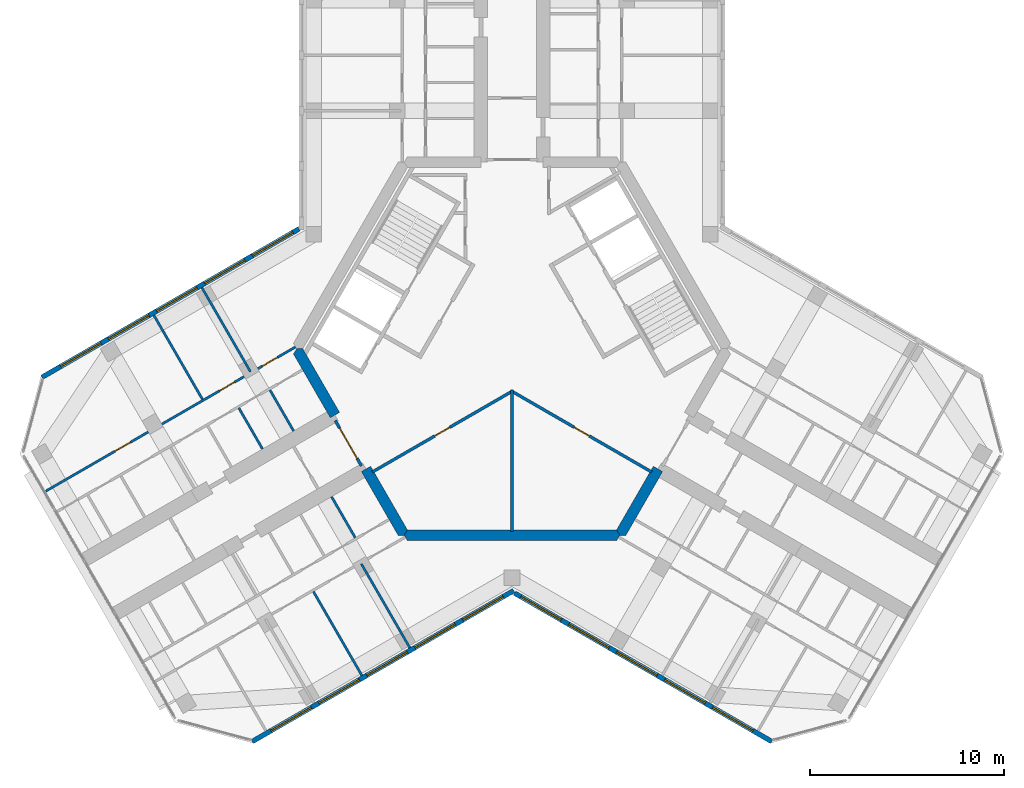
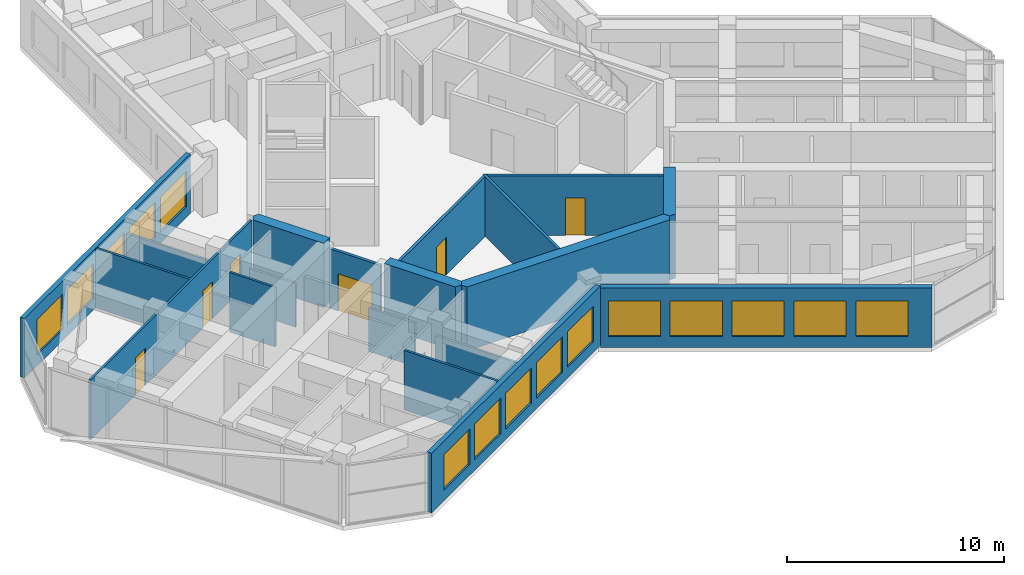
# One storey, part 8 of 14: 19 walls, 15 windows, 6 doors, 21 openings.
"""IFC4 building model written with IfcOpenShell, lengths in metres."""

from ifc_helpers import new_model, si_unit, direction, frame, frame_2d, origin, place, context, subcontext, project, spatial, polyline, rectangle, outline, extrude, material, layer, layer_set, type_object, element, fill, save


model = new_model("IFC4")

# Units and contexts
model_context = context("Model", 3, precision=1e-05, world=origin(), true_north=direction((0.0, 1.0)))
body_context = subcontext(model_context, "Body", "Model", "MODEL_VIEW")
ifc_project = project(units=[si_unit("LENGTHUNIT", "METRE"), si_unit("AREAUNIT", "SQUARE_METRE"), si_unit("VOLUMEUNIT", "CUBIC_METRE"), si_unit("PLANEANGLEUNIT", "RADIAN"), si_unit("MASSUNIT", "GRAM", prefix="KILO")], contexts=[model_context])

# Site, building, storey
site_placement = place(None, origin())
site = spatial("IfcSite", under=ifc_project, at=site_placement, CompositionType="ELEMENT")
building_placement = place(site_placement, origin())
building = spatial("IfcBuilding", under=site, at=building_placement, Name="Kosmar Iwan School Tower", CompositionType="ELEMENT")
storey_placement = place(building_placement, frame((0.0, 0.0, 271.0)))
storey = spatial("IfcBuildingStorey", under=building, at=storey_placement, Name="L68", CompositionType="ELEMENT", Elevation=271.0)

# Wall
ifc_material_1 = material(Name="Gypsum board on steel studs, fire-rated", Category="steel")
ifc_layer_1 = layer(ifc_material_1, 0.14990234375)
ifc_layer_set_1 = layer_set([ifc_layer_1], Name="Core room partition 150")
wall_type_1 = type_object("IfcWallType", Name="Core room partition 150", PredefinedType="PARTITIONING", material=ifc_layer_set_1)
wall_1_placement = place(storey_placement, frame((0.0, -9.39501953125, 0.0), z_axis=(0.0, 0.0, 1.0), x_axis=(0.0, 1.0, 0.0)))
element("IfcWall", 1, at=wall_1_placement, inside=storey, type_object=wall_type_1, Name="Core room partition L68-CW5", PredefinedType="PARTITIONING", context=body_context, shape_type="SweptSolid", body=[
    extrude(rectangle(XDim=7.276123046875, YDim=0.14990234375, at=frame_2d((3.63818359375, 0.0))), origin(), (0.0, 0.0, 1.0), 3.35009765625),
])

# Wall, opening, door
wall_2_placement = place(storey_placement, frame((-0.06494140625, -2.156494140625, 0.0), z_axis=(0.0, 0.0, 1.0), x_axis=(0.866023893041, -0.500002616675, 0.0)))
wall_2 = element("IfcWall", 2, at=wall_2_placement, inside=storey, type_object=wall_type_1, Name="Core room partition L68-CW6", PredefinedType="PARTITIONING", context=body_context, shape_type="SweptSolid", body=[
    extrude(rectangle(XDim=8.373046875, YDim=0.14990234375, at=frame_2d((4.1865234375, 0.0))), origin(), (0.0, 0.0, 1.0), 3.35009765625),
])
opening_1_placement = place(wall_2_placement, frame((3.77197265625, 0.0, 0.0)))
opening_1 = element("IfcOpeningElement", 3, at=opening_1_placement, cuts=wall_2, Name="Opening D14", PredefinedType="OPENING", context=body_context, shape_type="SweptSolid", body=[
    extrude(rectangle(XDim=0.89990234375, YDim=2.10009765625, at=frame_2d((0.449951171875, 1.050048828125))), frame((0.0, 0.0869140625, 0.0), z_axis=(0.0, -1.0, 0.0), x_axis=(1.0, 0.0, 0.0)), (0.0, 0.0, 1.0), 0.173828125),
])
ifc_material_2 = material(Name="Timber fire door in steel frame", Category="steel")
door_type_1 = type_object("IfcDoorType", Name="Core room door 900x2100", OperationType="SINGLE_SWING_LEFT", PredefinedType="DOOR", material=ifc_material_2)
door_1_placement = place(opening_1_placement, origin())
door_1 = element("IfcDoor", 4, at=door_1_placement, inside=storey, type_object=door_type_1, Name="Bicycle repair room door L68 3", OperationType="SINGLE_SWING_RIGHT", OverallHeight=2.10009765625, OverallWidth=0.89990234375, PredefinedType="DOOR", context=body_context, shape_type="SweptSolid", body=[
    extrude(rectangle(XDim=0.89990234375, YDim=2.10009765625, at=frame_2d((0.449951171875, 1.050048828125))), frame((0.0, 0.02490234375, 0.0), z_axis=(0.0, -1.0, 0.0), x_axis=(1.0, 0.0, 0.0)), (0.0, 0.0, 1.0), 0.050048828125),
])
fill(opening_1, door_1)

wall_3_placement = place(storey_placement, frame((-7.186279296875, -6.343017578125, 0.0), z_axis=(0.0, 0.0, 1.0), x_axis=(0.866023893041, 0.500002616675, 0.0)))
wall_3 = element("IfcWall", 5, at=wall_3_placement, inside=storey, type_object=wall_type_1, Name="Core room partition L68-CW7", PredefinedType="PARTITIONING", context=body_context, shape_type="SweptSolid", body=[
    extrude(rectangle(XDim=8.373046875, YDim=0.14990234375, at=frame_2d((4.1865234375, 0.0))), origin(), (0.0, 0.0, 1.0), 3.35009765625),
])
opening_2_placement = place(wall_3_placement, frame((3.701904296875, 0.0, 0.0)))
opening_2 = element("IfcOpeningElement", 6, at=opening_2_placement, cuts=wall_3, Name="Opening D14", PredefinedType="OPENING", context=body_context, shape_type="SweptSolid", body=[
    extrude(rectangle(XDim=0.89990234375, YDim=2.10009765625, at=frame_2d((0.449951171875, 1.050048828125))), frame((0.0, 0.0869140625, 0.0), z_axis=(0.0, -1.0, 0.0), x_axis=(1.0, 0.0, 0.0)), (0.0, 0.0, 1.0), 0.173828125),
])
door_2_placement = place(opening_2_placement, origin())
door_2 = element("IfcDoor", 7, at=door_2_placement, inside=storey, type_object=door_type_1, Name="Residents' laundry room door L68 4", OperationType="SINGLE_SWING_LEFT", OverallHeight=2.10009765625, OverallWidth=0.89990234375, PredefinedType="DOOR", context=body_context, shape_type="SweptSolid", body=[
    extrude(rectangle(XDim=0.89990234375, YDim=2.10009765625, at=frame_2d((0.449951171875, 1.050048828125))), frame((0.0, 0.02490234375, 0.0), z_axis=(0.0, -1.0, 0.0), x_axis=(1.0, 0.0, 0.0)), (0.0, 0.0, 1.0), 0.050048828125),
])
fill(opening_2, door_2)

# Walls
ifc_material_3 = material(Name="Concrete C50/60", Category="concrete")
ifc_layer_2 = layer(ifc_material_3, 0.550048828125)
ifc_layer_set_2 = layer_set([ifc_layer_2], Name="Core wall 550")
wall_type_2 = type_object("IfcWallType", Name="Core wall 550", PredefinedType="SHEAR", material=ifc_layer_set_2)
wall_4_placement = place(storey_placement, origin())
element("IfcWall", 8, at=wall_4_placement, inside=storey, type_object=wall_type_2, Name="Core wall F210a", PredefinedType="SHEAR", context=body_context, shape_type="SweptSolid", body=[
    extrude(outline(polyline([(-9.35205078125, -3.5517578125), (-8.875732421875, -3.27685546875), (-10.767578125, 0.0), (-11.085205078125, 0.0), (-11.243896484375, -0.27490234375), (-9.35205078125, -3.5517578125)])), origin(), (0.0, 0.0, 1.0), 3.60009765625),
])
wall_5_placement = place(storey_placement, origin())
element("IfcWall", 9, at=wall_5_placement, inside=storey, type_object=wall_type_2, Name="Core wall F210b", PredefinedType="SHEAR", context=body_context, shape_type="SweptSolid", body=[
    extrude(outline(polyline([(-5.860107421875, -9.60009765625), (-5.54248046875, -9.60009765625), (-5.3837890625, -9.324951171875), (-7.275634765625, -6.048095703125), (-7.751953125, -6.3232421875), (-5.860107421875, -9.60009765625)])), origin(), (0.0, 0.0, 1.0), 3.60009765625),
])
wall_6_placement = place(storey_placement, origin())
element("IfcWall", 10, at=wall_6_placement, inside=storey, type_object=wall_type_2, Name="Core wall F270", PredefinedType="SHEAR", context=body_context, shape_type="SweptSolid", body=[
    extrude(outline(polyline([(-5.3837890625, -9.875), (5.3837890625, -9.875), (5.54248046875, -9.60009765625), (5.3837890625, -9.324951171875), (-5.3837890625, -9.324951171875), (-5.54248046875, -9.60009765625), (-5.3837890625, -9.875)])), origin(), (0.0, 0.0, 1.0), 3.60009765625),
])
wall_7_placement = place(storey_placement, origin())
element("IfcWall", 11, at=wall_7_placement, inside=storey, type_object=wall_type_2, Name="Core wall F330a", PredefinedType="SHEAR", context=body_context, shape_type="SweptSolid", body=[
    extrude(outline(polyline([(5.54248046875, -9.60009765625), (5.860107421875, -9.60009765625), (7.751953125, -6.3232421875), (7.275634765625, -6.048095703125), (5.3837890625, -9.324951171875), (5.54248046875, -9.60009765625)])), origin(), (0.0, 0.0, 1.0), 3.60009765625),
])

# Wall, opening, door
ifc_material_4 = material(Name="Steel framed glazed screen", Category="steel")
ifc_layer_3 = layer(ifc_material_4, 0.14990234375)
ifc_layer_set_3 = layer_set([ifc_layer_3], Name="Corridor screen wall 150")
wall_type_3 = type_object("IfcWallType", Name="Corridor screen wall 150", PredefinedType="PARTITIONING", material=ifc_layer_set_3)
wall_8_placement = place(storey_placement, frame((-9.09716796875, -3.693359375, 0.0), z_axis=(0.0, 0.0, 1.0), x_axis=(0.50000943426, -0.866019956843, 0.0)))
wall_8 = element("IfcWall", 12, at=wall_8_placement, inside=storey, type_object=wall_type_3, Name="Corridor screen B L68", PredefinedType="PARTITIONING", context=body_context, shape_type="SweptSolid", body=[
    extrude(rectangle(XDim=2.7001953125, YDim=0.14990234375, at=frame_2d((1.35009765625, 0.0))), origin(), (0.0, 0.0, 1.0), 3.35009765625),
])
opening_3_placement = place(wall_8_placement, frame((0.449951171875, 0.0, 0.0)))
opening_3 = element("IfcOpeningElement", 13, at=opening_3_placement, cuts=wall_8, Name="Opening D9", PredefinedType="OPENING", context=body_context, shape_type="SweptSolid", body=[
    extrude(rectangle(XDim=1.800048828125, YDim=2.10009765625, at=frame_2d((0.89990234375, 1.050048828125))), frame((0.0, 0.0869140625, 0.0), z_axis=(0.0, -1.0, 0.0), x_axis=(1.0, 0.0, 0.0)), (0.0, 0.0, 1.0), 0.173828125),
])
ifc_material_5 = material(Name="Steel framed glazed smoke door", Category="steel")
door_type_2 = type_object("IfcDoorType", Name="Corridor smoke door pair 1800x2100", OperationType="DOUBLE_DOOR_DOUBLE_SWING", PredefinedType="DOOR", material=ifc_material_5)
door_3_placement = place(opening_3_placement, origin())
door_3 = element("IfcDoor", 14, at=door_3_placement, inside=storey, type_object=door_type_2, Name="Corridor doors B L68", OperationType="DOUBLE_DOOR_DOUBLE_SWING", OverallHeight=2.10009765625, OverallWidth=1.800048828125, PredefinedType="DOOR", context=body_context, shape_type="SweptSolid", body=[
    extrude(rectangle(XDim=1.800048828125, YDim=2.10009765625, at=frame_2d((0.89990234375, 1.050048828125))), frame((0.0, 0.02490234375, 0.0), z_axis=(0.0, -1.0, 0.0), x_axis=(1.0, 0.0, 0.0)), (0.0, 0.0, 1.0), 0.050048828125),
])
fill(opening_3, door_3)

# Walls
ifc_material_6 = material(Name="Gypsum board on steel studs", Category="steel")
ifc_layer_4 = layer(ifc_material_6, 0.1201171875)
ifc_layer_set_4 = layer_set([ifc_layer_4], Name="Dwelling partition 120")
wall_type_4 = type_object("IfcWallType", Name="Dwelling partition 120", PredefinedType="PARTITIONING", material=ifc_layer_set_4)
wall_9_placement = place(storey_placement, frame((-7.75390625, -11.070068359375, 0.0), z_axis=(0.0, 0.0, 1.0), x_axis=(0.500011847778, -0.866018563358, 0.0)))
element("IfcWall", 15, at=wall_9_placement, inside=storey, type_object=wall_type_4, Name="Partition L68-BL1-X1", PredefinedType="PARTITIONING", context=body_context, shape_type="SweptSolid", body=[
    extrude(rectangle(XDim=4.990234375, YDim=0.1201171875, at=frame_2d((2.4951171875, 0.0))), origin(), (0.0, 0.0, 1.0), 2.449951171875),
])
wall_10_placement = place(storey_placement, frame((-10.221923828125, -12.4951171875, 0.0), z_axis=(0.0, 0.0, 1.0), x_axis=(0.499996339024, -0.86602751744, 0.0)))
element("IfcWall", 16, at=wall_10_placement, inside=storey, type_object=wall_type_4, Name="Partition L68-BL1-X2", PredefinedType="PARTITIONING", context=body_context, shape_type="SweptSolid", body=[
    extrude(rectangle(XDim=4.98974609375, YDim=0.1201171875, at=frame_2d((2.494873046875, 0.0))), origin(), (0.0, 0.0, 1.0), 3.35009765625),
])
wall_11_placement = place(storey_placement, frame((-9.287353515625, -7.61376953125, 0.0), z_axis=(0.0, 0.0, 1.0), x_axis=(0.500002508028, -0.866023955769, 0.0)))
element("IfcWall", 17, at=wall_11_placement, inside=storey, type_object=wall_type_4, Name="Partition L68-BL1-Y1", PredefinedType="PARTITIONING", context=body_context, shape_type="SweptSolid", body=[
    extrude(rectangle(XDim=2.43994140625, YDim=0.1201171875, at=frame_2d((1.219970703125, 0.0))), origin(), (0.0, 0.0, 1.0), 2.449951171875),
])

# Wall, openings, doors
wall_12_placement = place(storey_placement, frame((-11.138916015625, 0.093017578125, 0.0), z_axis=(0.0, 0.0, 1.0), x_axis=(-0.866030301974, -0.499991515992, 0.0)))
wall_12 = element("IfcWall", 18, at=wall_12_placement, inside=storey, type_object=wall_type_4, Name="Partition L68-BR1-W2", PredefinedType="PARTITIONING", context=body_context, shape_type="SweptSolid", body=[
    extrude(rectangle(XDim=14.844970703125, YDim=0.1201171875, at=frame_2d((7.42236328125, 0.0))), origin(), (0.0, 0.0, 1.0), 3.35009765625),
])
opening_4_placement = place(wall_12_placement, frame((1.074951171875, 0.0, 0.0)))
opening_4 = element("IfcOpeningElement", 19, at=opening_4_placement, cuts=wall_12, Name="Opening D2", PredefinedType="OPENING", context=body_context, shape_type="SweptSolid", body=[
    extrude(rectangle(XDim=0.89990234375, YDim=2.10009765625, at=frame_2d((0.449951171875, 1.050048828125))), frame((0.0, 0.072021484375, 0.0), z_axis=(0.0, -1.0, 0.0), x_axis=(1.0, 0.0, 0.0)), (0.0, 0.0, 1.0), 0.14404296875),
])
opening_5_placement = place(wall_12_placement, frame((3.625, 0.0, 0.0)))
opening_5 = element("IfcOpeningElement", 20, at=opening_5_placement, cuts=wall_12, Name="Opening D2", PredefinedType="OPENING", context=body_context, shape_type="SweptSolid", body=[
    extrude(rectangle(XDim=0.89990234375, YDim=2.10009765625, at=frame_2d((0.449951171875, 1.050048828125))), frame((0.0, 0.072021484375, 0.0), z_axis=(0.0, -1.0, 0.0), x_axis=(1.0, 0.0, 0.0)), (0.0, 0.0, 1.0), 0.14404296875),
])
opening_6_placement = place(wall_12_placement, frame((9.824951171875, 0.0, 0.0)))
opening_6 = element("IfcOpeningElement", 21, at=opening_6_placement, cuts=wall_12, Name="Opening D2", PredefinedType="OPENING", context=body_context, shape_type="SweptSolid", body=[
    extrude(rectangle(XDim=0.89990234375, YDim=2.10009765625, at=frame_2d((0.449951171875, 1.050048828125))), frame((0.0, 0.072021484375, 0.0), z_axis=(0.0, -1.0, 0.0), x_axis=(1.0, 0.0, 0.0)), (0.0, 0.0, 1.0), 0.14404296875),
])
ifc_material_7 = material(Name="Timber door in timber frame", Category="wood")
door_type_3 = type_object("IfcDoorType", Name="Internal door 900x2100", OperationType="SINGLE_SWING_LEFT", PredefinedType="DOOR", material=ifc_material_7)
door_4_placement = place(opening_4_placement, origin())
door_4 = element("IfcDoor", 22, at=door_4_placement, inside=storey, type_object=door_type_3, Name="Bedroom 1 door L68-BR1-F1", OperationType="SINGLE_SWING_LEFT", OverallHeight=2.10009765625, OverallWidth=0.89990234375, PredefinedType="DOOR", context=body_context, shape_type="SweptSolid", body=[
    extrude(rectangle(XDim=0.89990234375, YDim=2.10009765625, at=frame_2d((0.449951171875, 1.050048828125))), frame((0.0, 0.02490234375, 0.0), z_axis=(0.0, -1.0, 0.0), x_axis=(1.0, 0.0, 0.0)), (0.0, 0.0, 1.0), 0.050048828125),
])
fill(opening_4, door_4)
door_5_placement = place(opening_5_placement, origin())
door_5 = element("IfcDoor", 23, at=door_5_placement, inside=storey, type_object=door_type_3, Name="Study door L68-BR1-F2", OperationType="SINGLE_SWING_LEFT", OverallHeight=2.10009765625, OverallWidth=0.89990234375, PredefinedType="DOOR", context=body_context, shape_type="SweptSolid", body=[
    extrude(rectangle(XDim=0.89990234375, YDim=2.10009765625, at=frame_2d((0.449951171875, 1.050048828125))), frame((0.0, 0.02490234375, 0.0), z_axis=(0.0, -1.0, 0.0), x_axis=(1.0, 0.0, 0.0)), (0.0, 0.0, 1.0), 0.050048828125),
])
fill(opening_5, door_5)
door_6_placement = place(opening_6_placement, origin())
door_6 = element("IfcDoor", 24, at=door_6_placement, inside=storey, type_object=door_type_3, Name="Living room and kitchen door L68-BR1-F3", OperationType="SINGLE_SWING_RIGHT", OverallHeight=2.10009765625, OverallWidth=0.89990234375, PredefinedType="DOOR", context=body_context, shape_type="SweptSolid", body=[
    extrude(rectangle(XDim=0.89990234375, YDim=2.10009765625, at=frame_2d((0.449951171875, 1.050048828125))), frame((0.0, 0.02490234375, 0.0), z_axis=(0.0, -1.0, 0.0), x_axis=(1.0, 0.0, 0.0)), (0.0, 0.0, 1.0), 0.050048828125),
])
fill(opening_6, door_6)

# Walls
wall_13_placement = place(storey_placement, frame((-13.4638671875, -1.179931640625, 0.0), z_axis=(0.0, 0.0, 1.0), x_axis=(-0.499975153383, 0.86603974851, 0.0)))
element("IfcWall", 25, at=wall_13_placement, inside=storey, type_object=wall_type_4, Name="Partition L68-BR1-X1", PredefinedType="PARTITIONING", context=body_context, shape_type="SweptSolid", body=[
    extrude(rectangle(XDim=4.989990234375, YDim=0.1201171875, at=frame_2d((2.4951171875, 0.0))), origin(), (0.0, 0.0, 1.0), 2.449951171875),
])
wall_14_placement = place(storey_placement, frame((-15.931884765625, -2.60498046875, 0.0), z_axis=(0.0, 0.0, 1.0), x_axis=(-0.500011847778, 0.866018563358, 0.0)))
element("IfcWall", 26, at=wall_14_placement, inside=storey, type_object=wall_type_4, Name="Partition L68-BR1-X2", PredefinedType="PARTITIONING", context=body_context, shape_type="SweptSolid", body=[
    extrude(rectangle(XDim=4.990234375, YDim=0.1201171875, at=frame_2d((2.4951171875, 0.0))), origin(), (0.0, 0.0, 1.0), 3.35009765625),
])
wall_15_placement = place(storey_placement, frame((-11.2373046875, -4.236328125, 0.0), z_axis=(0.0, 0.0, 1.0), x_axis=(-0.500034220881, 0.866005645448, 0.0)))
element("IfcWall", 27, at=wall_15_placement, inside=storey, type_object=wall_type_4, Name="Partition L68-BR1-Y1", PredefinedType="PARTITIONING", context=body_context, shape_type="SweptSolid", body=[
    extrude(rectangle(XDim=2.440185546875, YDim=0.1201171875, at=frame_2d((1.22021484375, 0.0))), origin(), (0.0, 0.0, 1.0), 2.449951171875),
])
wall_16_placement = place(storey_placement, frame((-12.839599609375, -5.161376953125, 0.0), z_axis=(0.0, 0.0, 1.0), x_axis=(-0.499959183527, 0.866048967903, 0.0)))
element("IfcWall", 28, at=wall_16_placement, inside=storey, type_object=wall_type_4, Name="Partition L68-BR1-Y2", PredefinedType="PARTITIONING", context=body_context, shape_type="SweptSolid", body=[
    extrude(rectangle(XDim=2.440185546875, YDim=0.1201171875, at=frame_2d((1.22021484375, 0.0))), origin(), (0.0, 0.0, 1.0), 3.35009765625),
])

# Wall, openings, windows
ifc_material_8 = material(Name="Black aluminium rainscreen on insulated framing", Category="aluminium")
ifc_layer_5 = layer(ifc_material_8, 0.25)
ifc_layer_set_5 = layer_set([ifc_layer_5], Name="External wall rainscreen 250")
wall_type_5 = type_object("IfcWallType", Name="External wall rainscreen 250", PredefinedType="SOLIDWALL", material=ifc_layer_set_5)
wall_17_placement = place(storey_placement, frame((0.088134765625, -12.44873046875, 0.0), z_axis=(0.0, 0.0, 1.0), x_axis=(-0.866029894971, -0.499992220956, 0.0)))
wall_17 = element("IfcWall", 29, at=wall_17_placement, inside=storey, type_object=wall_type_5, Name="External wall BL L68", PredefinedType="SOLIDWALL", context=body_context, shape_type="SweptSolid", body=[
    extrude(rectangle(XDim=15.537353515625, YDim=0.25, at=frame_2d((7.7685546875, 0.0))), origin(), (0.0, 0.0, 1.0), 3.35009765625),
])
opening_7_placement = place(wall_17_placement, frame((0.626953125, 0.0, 0.60009765625)))
opening_7 = element("IfcOpeningElement", 30, at=opening_7_placement, cuts=wall_17, Name="Opening W6", PredefinedType="OPENING", context=body_context, shape_type="SweptSolid", body=[
    extrude(rectangle(XDim=2.39990234375, YDim=2.0, at=frame_2d((1.199951171875, 1.0))), frame((0.0, 0.136962890625, 0.0), z_axis=(0.0, -1.0, 0.0), x_axis=(1.0, 0.0, 0.0)), (0.0, 0.0, 1.0), 0.27392578125),
])
opening_8_placement = place(wall_17_placement, frame((3.47705078125, 0.0, 0.60009765625)))
opening_8 = element("IfcOpeningElement", 31, at=opening_8_placement, cuts=wall_17, Name="Opening W6", PredefinedType="OPENING", context=body_context, shape_type="SweptSolid", body=[
    extrude(rectangle(XDim=2.39990234375, YDim=2.0, at=frame_2d((1.199951171875, 1.0))), frame((0.0, 0.136962890625, 0.0), z_axis=(0.0, -1.0, 0.0), x_axis=(1.0, 0.0, 0.0)), (0.0, 0.0, 1.0), 0.27392578125),
])
opening_9_placement = place(wall_17_placement, frame((6.326904296875, 0.0, 0.60009765625)))
opening_9 = element("IfcOpeningElement", 32, at=opening_9_placement, cuts=wall_17, Name="Opening W6", PredefinedType="OPENING", context=body_context, shape_type="SweptSolid", body=[
    extrude(rectangle(XDim=2.39990234375, YDim=2.0, at=frame_2d((1.199951171875, 1.0))), frame((0.0, 0.136962890625, 0.0), z_axis=(0.0, -1.0, 0.0), x_axis=(1.0, 0.0, 0.0)), (0.0, 0.0, 1.0), 0.27392578125),
])
opening_10_placement = place(wall_17_placement, frame((9.177001953125, 0.0, 0.60009765625)))
opening_10 = element("IfcOpeningElement", 33, at=opening_10_placement, cuts=wall_17, Name="Opening W6", PredefinedType="OPENING", context=body_context, shape_type="SweptSolid", body=[
    extrude(rectangle(XDim=2.39990234375, YDim=2.0, at=frame_2d((1.199951171875, 1.0))), frame((0.0, 0.136962890625, 0.0), z_axis=(0.0, -1.0, 0.0), x_axis=(1.0, 0.0, 0.0)), (0.0, 0.0, 1.0), 0.27392578125),
])
opening_11_placement = place(wall_17_placement, frame((12.027099609375, 0.0, 0.60009765625)))
opening_11 = element("IfcOpeningElement", 34, at=opening_11_placement, cuts=wall_17, Name="Opening W6", PredefinedType="OPENING", context=body_context, shape_type="SweptSolid", body=[
    extrude(rectangle(XDim=2.39990234375, YDim=2.0, at=frame_2d((1.199951171875, 1.0))), frame((0.0, 0.136962890625, 0.0), z_axis=(0.0, -1.0, 0.0), x_axis=(1.0, 0.0, 0.0)), (0.0, 0.0, 1.0), 0.27392578125),
])
ifc_material_9 = material(Name="Black aluminium frame with dark triple glazing", Category="aluminium")
window_type = type_object("IfcWindowType", Name="Window 2400x2000", PartitioningType="SINGLE_PANEL", PredefinedType="WINDOW", material=ifc_material_9)
window_1_placement = place(opening_7_placement, origin())
window_1 = element("IfcWindow", 35, at=window_1_placement, inside=storey, type_object=window_type, Name="Window BL L68 -1", OverallHeight=2.0, OverallWidth=2.39990234375, PartitioningType="SINGLE_PANEL", PredefinedType="WINDOW", context=body_context, shape_type="SweptSolid", body=[
    extrude(rectangle(XDim=2.39990234375, YDim=2.0, at=frame_2d((1.199951171875, 1.0))), frame((0.0, 0.030029296875, 0.0), z_axis=(0.0, -1.0, 0.0), x_axis=(1.0, 0.0, 0.0)), (0.0, 0.0, 1.0), 0.06005859375),
])
fill(opening_7, window_1)
window_2_placement = place(opening_8_placement, origin())
window_2 = element("IfcWindow", 36, at=window_2_placement, inside=storey, type_object=window_type, Name="Window BL L68 0", OverallHeight=2.0, OverallWidth=2.39990234375, PartitioningType="SINGLE_PANEL", PredefinedType="WINDOW", context=body_context, shape_type="SweptSolid", body=[
    extrude(rectangle(XDim=2.39990234375, YDim=2.0, at=frame_2d((1.199951171875, 1.0))), frame((0.0, 0.030029296875, 0.0), z_axis=(0.0, -1.0, 0.0), x_axis=(1.0, 0.0, 0.0)), (0.0, 0.0, 1.0), 0.06005859375),
])
fill(opening_8, window_2)
window_3_placement = place(opening_9_placement, origin())
window_3 = element("IfcWindow", 37, at=window_3_placement, inside=storey, type_object=window_type, Name="Window BL L68 1", OverallHeight=2.0, OverallWidth=2.39990234375, PartitioningType="SINGLE_PANEL", PredefinedType="WINDOW", context=body_context, shape_type="SweptSolid", body=[
    extrude(rectangle(XDim=2.39990234375, YDim=2.0, at=frame_2d((1.199951171875, 1.0))), frame((0.0, 0.030029296875, 0.0), z_axis=(0.0, -1.0, 0.0), x_axis=(1.0, 0.0, 0.0)), (0.0, 0.0, 1.0), 0.06005859375),
])
fill(opening_9, window_3)
window_4_placement = place(opening_10_placement, origin())
window_4 = element("IfcWindow", 38, at=window_4_placement, inside=storey, type_object=window_type, Name="Window BL L68 2", OverallHeight=2.0, OverallWidth=2.39990234375, PartitioningType="SINGLE_PANEL", PredefinedType="WINDOW", context=body_context, shape_type="SweptSolid", body=[
    extrude(rectangle(XDim=2.39990234375, YDim=2.0, at=frame_2d((1.199951171875, 1.0))), frame((0.0, 0.030029296875, 0.0), z_axis=(0.0, -1.0, 0.0), x_axis=(1.0, 0.0, 0.0)), (0.0, 0.0, 1.0), 0.06005859375),
])
fill(opening_10, window_4)
window_5_placement = place(opening_11_placement, origin())
window_5 = element("IfcWindow", 39, at=window_5_placement, inside=storey, type_object=window_type, Name="Window BL L68 3", OverallHeight=2.0, OverallWidth=2.39990234375, PartitioningType="SINGLE_PANEL", PredefinedType="WINDOW", context=body_context, shape_type="SweptSolid", body=[
    extrude(rectangle(XDim=2.39990234375, YDim=2.0, at=frame_2d((1.199951171875, 1.0))), frame((0.0, 0.030029296875, 0.0), z_axis=(0.0, -1.0, 0.0), x_axis=(1.0, 0.0, 0.0)), (0.0, 0.0, 1.0), 0.06005859375),
])
fill(opening_11, window_5)

wall_18_placement = place(storey_placement, frame((0.137939453125, -12.5791015625, 0.0), z_axis=(0.0, 0.0, 1.0), x_axis=(0.866025637253, -0.499999595621, 0.0)))
wall_18 = element("IfcWall", 40, at=wall_18_placement, inside=storey, type_object=wall_type_5, Name="External wall CR L68", PredefinedType="SOLIDWALL", context=body_context, shape_type="SweptSolid", body=[
    extrude(rectangle(XDim=15.2763671875, YDim=0.25, at=frame_2d((7.63818359375, 0.0))), origin(), (0.0, 0.0, 1.0), 3.35009765625),
])
opening_12_placement = place(wall_18_placement, frame((0.365966796875, 0.0, 0.60009765625)))
opening_12 = element("IfcOpeningElement", 41, at=opening_12_placement, cuts=wall_18, Name="Opening W6", PredefinedType="OPENING", context=body_context, shape_type="SweptSolid", body=[
    extrude(rectangle(XDim=2.39990234375, YDim=2.0, at=frame_2d((1.199951171875, 1.0))), frame((0.0, 0.136962890625, 0.0), z_axis=(0.0, -1.0, 0.0), x_axis=(1.0, 0.0, 0.0)), (0.0, 0.0, 1.0), 0.27392578125),
])
opening_13_placement = place(wall_18_placement, frame((3.216064453125, 0.0, 0.60009765625)))
opening_13 = element("IfcOpeningElement", 42, at=opening_13_placement, cuts=wall_18, Name="Opening W6", PredefinedType="OPENING", context=body_context, shape_type="SweptSolid", body=[
    extrude(rectangle(XDim=2.39990234375, YDim=2.0, at=frame_2d((1.199951171875, 1.0))), frame((0.0, 0.136962890625, 0.0), z_axis=(0.0, -1.0, 0.0), x_axis=(1.0, 0.0, 0.0)), (0.0, 0.0, 1.0), 0.27392578125),
])
opening_14_placement = place(wall_18_placement, frame((6.06591796875, 0.0, 0.60009765625)))
opening_14 = element("IfcOpeningElement", 43, at=opening_14_placement, cuts=wall_18, Name="Opening W6", PredefinedType="OPENING", context=body_context, shape_type="SweptSolid", body=[
    extrude(rectangle(XDim=2.39990234375, YDim=2.0, at=frame_2d((1.199951171875, 1.0))), frame((0.0, 0.136962890625, 0.0), z_axis=(0.0, -1.0, 0.0), x_axis=(1.0, 0.0, 0.0)), (0.0, 0.0, 1.0), 0.27392578125),
])
opening_15_placement = place(wall_18_placement, frame((8.916015625, 0.0, 0.60009765625)))
opening_15 = element("IfcOpeningElement", 44, at=opening_15_placement, cuts=wall_18, Name="Opening W6", PredefinedType="OPENING", context=body_context, shape_type="SweptSolid", body=[
    extrude(rectangle(XDim=2.39990234375, YDim=2.0, at=frame_2d((1.199951171875, 1.0))), frame((0.0, 0.136962890625, 0.0), z_axis=(0.0, -1.0, 0.0), x_axis=(1.0, 0.0, 0.0)), (0.0, 0.0, 1.0), 0.27392578125),
])
opening_16_placement = place(wall_18_placement, frame((11.76611328125, 0.0, 0.60009765625)))
opening_16 = element("IfcOpeningElement", 45, at=opening_16_placement, cuts=wall_18, Name="Opening W6", PredefinedType="OPENING", context=body_context, shape_type="SweptSolid", body=[
    extrude(rectangle(XDim=2.39990234375, YDim=2.0, at=frame_2d((1.199951171875, 1.0))), frame((0.0, 0.136962890625, 0.0), z_axis=(0.0, -1.0, 0.0), x_axis=(1.0, 0.0, 0.0)), (0.0, 0.0, 1.0), 0.27392578125),
])
window_6_placement = place(opening_12_placement, origin())
window_6 = element("IfcWindow", 46, at=window_6_placement, inside=storey, type_object=window_type, Name="Window CR L68 -1", OverallHeight=2.0, OverallWidth=2.39990234375, PartitioningType="SINGLE_PANEL", PredefinedType="WINDOW", context=body_context, shape_type="SweptSolid", body=[
    extrude(rectangle(XDim=2.39990234375, YDim=2.0, at=frame_2d((1.199951171875, 1.0))), frame((0.0, 0.030029296875, 0.0), z_axis=(0.0, -1.0, 0.0), x_axis=(1.0, 0.0, 0.0)), (0.0, 0.0, 1.0), 0.06005859375),
])
fill(opening_12, window_6)
window_7_placement = place(opening_13_placement, origin())
window_7 = element("IfcWindow", 47, at=window_7_placement, inside=storey, type_object=window_type, Name="Window CR L68 0", OverallHeight=2.0, OverallWidth=2.39990234375, PartitioningType="SINGLE_PANEL", PredefinedType="WINDOW", context=body_context, shape_type="SweptSolid", body=[
    extrude(rectangle(XDim=2.39990234375, YDim=2.0, at=frame_2d((1.199951171875, 1.0))), frame((0.0, 0.030029296875, 0.0), z_axis=(0.0, -1.0, 0.0), x_axis=(1.0, 0.0, 0.0)), (0.0, 0.0, 1.0), 0.06005859375),
])
fill(opening_13, window_7)
window_8_placement = place(opening_14_placement, origin())
window_8 = element("IfcWindow", 48, at=window_8_placement, inside=storey, type_object=window_type, Name="Window CR L68 1", OverallHeight=2.0, OverallWidth=2.39990234375, PartitioningType="SINGLE_PANEL", PredefinedType="WINDOW", context=body_context, shape_type="SweptSolid", body=[
    extrude(rectangle(XDim=2.39990234375, YDim=2.0, at=frame_2d((1.199951171875, 1.0))), frame((0.0, 0.030029296875, 0.0), z_axis=(0.0, -1.0, 0.0), x_axis=(1.0, 0.0, 0.0)), (0.0, 0.0, 1.0), 0.06005859375),
])
fill(opening_14, window_8)
window_9_placement = place(opening_15_placement, origin())
window_9 = element("IfcWindow", 49, at=window_9_placement, inside=storey, type_object=window_type, Name="Window CR L68 2", OverallHeight=2.0, OverallWidth=2.39990234375, PartitioningType="SINGLE_PANEL", PredefinedType="WINDOW", context=body_context, shape_type="SweptSolid", body=[
    extrude(rectangle(XDim=2.39990234375, YDim=2.0, at=frame_2d((1.199951171875, 1.0))), frame((0.0, 0.030029296875, 0.0), z_axis=(0.0, -1.0, 0.0), x_axis=(1.0, 0.0, 0.0)), (0.0, 0.0, 1.0), 0.06005859375),
])
fill(opening_15, window_9)
window_10_placement = place(opening_16_placement, origin())
window_10 = element("IfcWindow", 50, at=window_10_placement, inside=storey, type_object=window_type, Name="Window CR L68 3", OverallHeight=2.0, OverallWidth=2.39990234375, PartitioningType="SINGLE_PANEL", PredefinedType="WINDOW", context=body_context, shape_type="SweptSolid", body=[
    extrude(rectangle(XDim=2.39990234375, YDim=2.0, at=frame_2d((1.199951171875, 1.0))), frame((0.0, 0.030029296875, 0.0), z_axis=(0.0, -1.0, 0.0), x_axis=(1.0, 0.0, 0.0)), (0.0, 0.0, 1.0), 0.06005859375),
])
fill(opening_16, window_10)

wall_19_placement = place(storey_placement, frame((-10.962890625, 6.170166015625, 0.0), z_axis=(0.0, 0.0, 1.0), x_axis=(-0.866025637253, -0.499999595621, 0.0)))
wall_19 = element("IfcWall", 51, at=wall_19_placement, inside=storey, type_object=wall_type_5, Name="External wall BR L68", PredefinedType="SOLIDWALL", context=body_context, shape_type="SweptSolid", body=[
    extrude(rectangle(XDim=15.2763671875, YDim=0.25, at=frame_2d((7.63818359375, 0.0))), origin(), (0.0, 0.0, 1.0), 3.35009765625),
])
opening_17_placement = place(wall_19_placement, frame((0.365966796875, 0.0, 0.60009765625)))
opening_17 = element("IfcOpeningElement", 52, at=opening_17_placement, cuts=wall_19, Name="Opening W6", PredefinedType="OPENING", context=body_context, shape_type="SweptSolid", body=[
    extrude(rectangle(XDim=2.39990234375, YDim=2.0, at=frame_2d((1.199951171875, 1.0))), frame((0.0, 0.136962890625, 0.0), z_axis=(0.0, -1.0, 0.0), x_axis=(1.0, 0.0, 0.0)), (0.0, 0.0, 1.0), 0.27392578125),
])
opening_18_placement = place(wall_19_placement, frame((3.216064453125, 0.0, 0.60009765625)))
opening_18 = element("IfcOpeningElement", 53, at=opening_18_placement, cuts=wall_19, Name="Opening W6", PredefinedType="OPENING", context=body_context, shape_type="SweptSolid", body=[
    extrude(rectangle(XDim=2.39990234375, YDim=2.0, at=frame_2d((1.199951171875, 1.0))), frame((0.0, 0.136962890625, 0.0), z_axis=(0.0, -1.0, 0.0), x_axis=(1.0, 0.0, 0.0)), (0.0, 0.0, 1.0), 0.27392578125),
])
opening_19_placement = place(wall_19_placement, frame((6.06591796875, 0.0, 0.60009765625)))
opening_19 = element("IfcOpeningElement", 54, at=opening_19_placement, cuts=wall_19, Name="Opening W6", PredefinedType="OPENING", context=body_context, shape_type="SweptSolid", body=[
    extrude(rectangle(XDim=2.39990234375, YDim=2.0, at=frame_2d((1.199951171875, 1.0))), frame((0.0, 0.136962890625, 0.0), z_axis=(0.0, -1.0, 0.0), x_axis=(1.0, 0.0, 0.0)), (0.0, 0.0, 1.0), 0.27392578125),
])
opening_20_placement = place(wall_19_placement, frame((8.916015625, 0.0, 0.60009765625)))
opening_20 = element("IfcOpeningElement", 55, at=opening_20_placement, cuts=wall_19, Name="Opening W6", PredefinedType="OPENING", context=body_context, shape_type="SweptSolid", body=[
    extrude(rectangle(XDim=2.39990234375, YDim=2.0, at=frame_2d((1.199951171875, 1.0))), frame((0.0, 0.136962890625, 0.0), z_axis=(0.0, -1.0, 0.0), x_axis=(1.0, 0.0, 0.0)), (0.0, 0.0, 1.0), 0.27392578125),
])
opening_21_placement = place(wall_19_placement, frame((11.76611328125, 0.0, 0.60009765625)))
opening_21 = element("IfcOpeningElement", 56, at=opening_21_placement, cuts=wall_19, Name="Opening W6", PredefinedType="OPENING", context=body_context, shape_type="SweptSolid", body=[
    extrude(rectangle(XDim=2.39990234375, YDim=2.0, at=frame_2d((1.199951171875, 1.0))), frame((0.0, 0.136962890625, 0.0), z_axis=(0.0, -1.0, 0.0), x_axis=(1.0, 0.0, 0.0)), (0.0, 0.0, 1.0), 0.27392578125),
])
window_11_placement = place(opening_17_placement, origin())
window_11 = element("IfcWindow", 57, at=window_11_placement, inside=storey, type_object=window_type, Name="Window BR L68 -1", OverallHeight=2.0, OverallWidth=2.39990234375, PartitioningType="SINGLE_PANEL", PredefinedType="WINDOW", context=body_context, shape_type="SweptSolid", body=[
    extrude(rectangle(XDim=2.39990234375, YDim=2.0, at=frame_2d((1.199951171875, 1.0))), frame((0.0, 0.030029296875, 0.0), z_axis=(0.0, -1.0, 0.0), x_axis=(1.0, 0.0, 0.0)), (0.0, 0.0, 1.0), 0.06005859375),
])
fill(opening_17, window_11)
window_12_placement = place(opening_18_placement, origin())
window_12 = element("IfcWindow", 58, at=window_12_placement, inside=storey, type_object=window_type, Name="Window BR L68 0", OverallHeight=2.0, OverallWidth=2.39990234375, PartitioningType="SINGLE_PANEL", PredefinedType="WINDOW", context=body_context, shape_type="SweptSolid", body=[
    extrude(rectangle(XDim=2.39990234375, YDim=2.0, at=frame_2d((1.199951171875, 1.0))), frame((0.0, 0.030029296875, 0.0), z_axis=(0.0, -1.0, 0.0), x_axis=(1.0, 0.0, 0.0)), (0.0, 0.0, 1.0), 0.06005859375),
])
fill(opening_18, window_12)
window_13_placement = place(opening_19_placement, origin())
window_13 = element("IfcWindow", 59, at=window_13_placement, inside=storey, type_object=window_type, Name="Window BR L68 1", OverallHeight=2.0, OverallWidth=2.39990234375, PartitioningType="SINGLE_PANEL", PredefinedType="WINDOW", context=body_context, shape_type="SweptSolid", body=[
    extrude(rectangle(XDim=2.39990234375, YDim=2.0, at=frame_2d((1.199951171875, 1.0))), frame((0.0, 0.030029296875, 0.0), z_axis=(0.0, -1.0, 0.0), x_axis=(1.0, 0.0, 0.0)), (0.0, 0.0, 1.0), 0.06005859375),
])
fill(opening_19, window_13)
window_14_placement = place(opening_20_placement, origin())
window_14 = element("IfcWindow", 60, at=window_14_placement, inside=storey, type_object=window_type, Name="Window BR L68 2", OverallHeight=2.0, OverallWidth=2.39990234375, PartitioningType="SINGLE_PANEL", PredefinedType="WINDOW", context=body_context, shape_type="SweptSolid", body=[
    extrude(rectangle(XDim=2.39990234375, YDim=2.0, at=frame_2d((1.199951171875, 1.0))), frame((0.0, 0.030029296875, 0.0), z_axis=(0.0, -1.0, 0.0), x_axis=(1.0, 0.0, 0.0)), (0.0, 0.0, 1.0), 0.06005859375),
])
fill(opening_20, window_14)
window_15_placement = place(opening_21_placement, origin())
window_15 = element("IfcWindow", 61, at=window_15_placement, inside=storey, type_object=window_type, Name="Window BR L68 3", OverallHeight=2.0, OverallWidth=2.39990234375, PartitioningType="SINGLE_PANEL", PredefinedType="WINDOW", context=body_context, shape_type="SweptSolid", body=[
    extrude(rectangle(XDim=2.39990234375, YDim=2.0, at=frame_2d((1.199951171875, 1.0))), frame((0.0, 0.030029296875, 0.0), z_axis=(0.0, -1.0, 0.0), x_axis=(1.0, 0.0, 0.0)), (0.0, 0.0, 1.0), 0.06005859375),
])
fill(opening_21, window_15)

save(model, "model.ifc")
